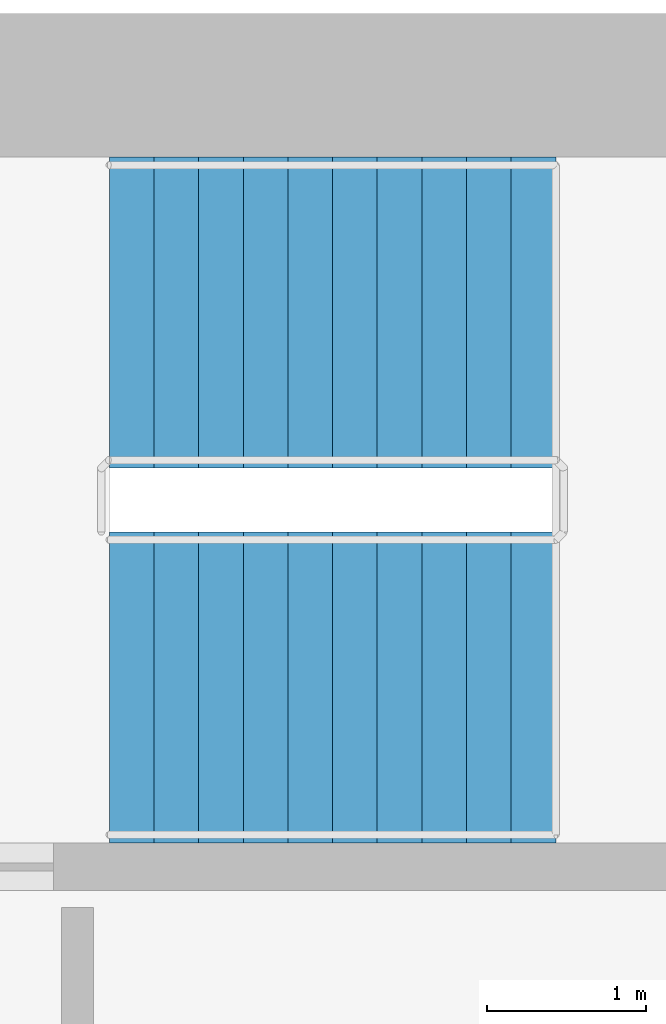
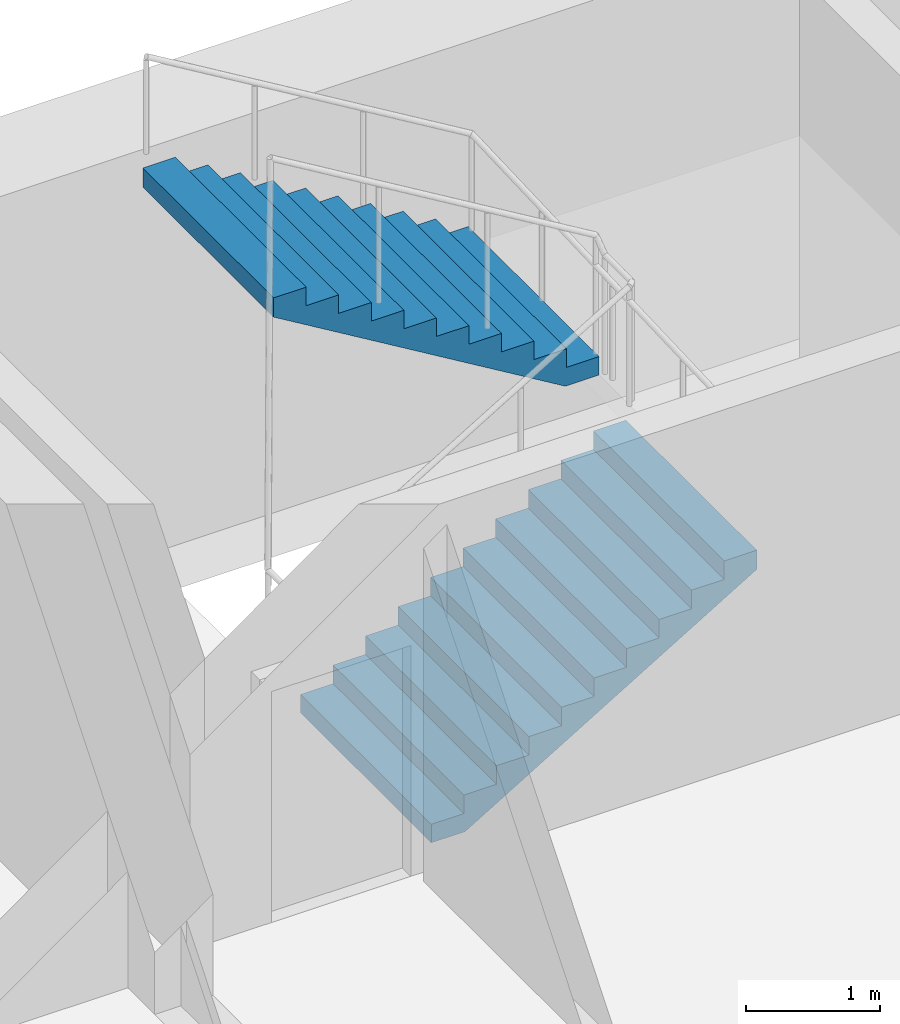
# One storey, part 15 of 19: 2 stair flights, 1 element without a shape of its own.
"""IFC4 building model written with IfcOpenShell, lengths in metres."""

from ifc_helpers import new_model, si_unit, direction, frame, origin, place, context, subcontext, project, spatial, polyline, outline, extrude, material, type_object, element, aggregate, save


model = new_model("IFC4")

# Units and contexts
model_context = context("Model", 3, precision=1e-05, world=origin(), true_north=direction((0.0, 1.0)))
body_context = subcontext(model_context, "Body", "Model", "MODEL_VIEW")
ifc_project = project(units=[si_unit("LENGTHUNIT", "METRE"), si_unit("AREAUNIT", "SQUARE_METRE"), si_unit("VOLUMEUNIT", "CUBIC_METRE"), si_unit("PLANEANGLEUNIT", "RADIAN"), si_unit("MASSUNIT", "GRAM", prefix="KILO")], contexts=[model_context])

# Site, building, storey
site_placement = place(None, origin())
site = spatial("IfcSite", under=ifc_project, at=site_placement, CompositionType="ELEMENT")
building_placement = place(site_placement, origin())
building = spatial("IfcBuilding", under=site, at=building_placement, Name="Hunhe Ridgeline Campus", CompositionType="ELEMENT")
storey_placement = place(building_placement, frame((0.0, 0.0, 219.800048828125)))
storey = spatial("IfcBuildingStorey", under=building, at=storey_placement, Name="L56", CompositionType="ELEMENT", Elevation=219.800048828125)

# Stair, stair flights
ifc_material = material(Name="Concrete C40", Category="concrete")
stair_type = type_object("IfcStairType", Name="Reinforced concrete dog-leg stair 1950 Concrete C40", PredefinedType="HALF_TURN_STAIR", material=ifc_material)
stair_placement = place(storey_placement, origin())
stair = element("IfcStair", 1, at=stair_placement, inside=storey, type_object=stair_type, Name="L56 E1", PredefinedType="HALF_TURN_STAIR")
stair_flight_type = type_object("IfcStairFlightType", Name="Reinforced concrete stair flight 1950 Concrete C40", PredefinedType="STRAIGHT", material=ifc_material)
stair_flight_1_placement = place(storey_placement, frame((38.39990234375, 94.77490234375, 0.0), z_axis=(0.0, 0.0, 1.0), x_axis=(1.0, 0.0, 0.0)))
stair_flight_1 = element("IfcStairFlight", 2, at=stair_flight_1_placement, type_object=stair_flight_type, Name="ST5 flight 1", NumberOfRisers=11, NumberOfTreads=10, PredefinedType="STRAIGHT", RiserHeight=0.168181818, TreadLength=0.28, context=body_context, shape_type="SweptSolid", body=[
    extrude(outline(polyline([(0.0, 0.0), (0.0, 0.168212890625), (0.280029296875, 0.168212890625), (0.280029296875, 0.33642578125), (0.56005859375, 0.33642578125), (0.56005859375, 0.504638671875), (0.840087890625, 0.504638671875), (0.840087890625, 0.672607421875), (1.1201171875, 0.672607421875), (1.1201171875, 0.8408203125), (1.39990234375, 0.8408203125), (1.39990234375, 1.009033203125), (1.679931640625, 1.009033203125), (1.679931640625, 1.17724609375), (1.9599609375, 1.17724609375), (1.9599609375, 1.345458984375), (2.239990234375, 1.345458984375), (2.239990234375, 1.513671875), (2.52001953125, 1.513671875), (2.52001953125, 1.681884765625), (2.800048828125, 1.681884765625), (2.800048828125, 1.85009765625), (2.800048828125, 1.5068359375), (0.291015625, 0.0), (0.0, 0.0)])), frame((0.0, 0.97509765625, 0.0), z_axis=(0.0, -1.0, 0.0), x_axis=(1.0, 0.0, 0.0)), (0.0, 0.0, 1.0), 1.949951171875),
    extrude(outline(polyline([(0.030029296875, 0.030029296875), (0.030029296875, 0.13818359375), (0.31005859375, 0.13818359375), (0.31005859375, 0.306396484375), (0.590087890625, 0.306396484375), (0.590087890625, 0.474609375), (0.8701171875, 0.474609375), (0.8701171875, 0.642578125), (1.14990234375, 0.642578125), (1.14990234375, 0.810791015625), (1.429931640625, 0.810791015625), (1.429931640625, 0.97900390625), (1.7099609375, 0.97900390625), (1.7099609375, 1.147216796875), (1.989990234375, 1.147216796875), (1.989990234375, 1.3154296875), (2.27001953125, 1.3154296875), (2.27001953125, 1.483642578125), (2.550048828125, 1.483642578125), (2.550048828125, 1.65185546875), (2.77001953125, 1.65185546875), (2.77001953125, 1.52392578125), (0.28271484375, 0.030029296875), (0.030029296875, 0.030029296875)])), frame((0.0, -0.070068359375, 0.0), z_axis=(0.0, -1.0, 0.0), x_axis=(1.0, 0.0, 0.0)), (0.0, 0.0, 1.0), 0.019775390625),
    extrude(outline(polyline([(0.030029296875, 0.030029296875), (0.030029296875, 0.13818359375), (0.31005859375, 0.13818359375), (0.31005859375, 0.306396484375), (0.590087890625, 0.306396484375), (0.590087890625, 0.474609375), (0.8701171875, 0.474609375), (0.8701171875, 0.642578125), (1.14990234375, 0.642578125), (1.14990234375, 0.810791015625), (1.429931640625, 0.810791015625), (1.429931640625, 0.97900390625), (1.7099609375, 0.97900390625), (1.7099609375, 1.147216796875), (1.989990234375, 1.147216796875), (1.989990234375, 1.3154296875), (2.27001953125, 1.3154296875), (2.27001953125, 1.483642578125), (2.550048828125, 1.483642578125), (2.550048828125, 1.65185546875), (2.77001953125, 1.65185546875), (2.77001953125, 1.52392578125), (0.28271484375, 0.030029296875), (0.030029296875, 0.030029296875)])), frame((0.0, 0.010009765625, 0.0), z_axis=(0.0, -1.0, 0.0), x_axis=(1.0, 0.0, 0.0)), (0.0, 0.0, 1.0), 0.019775390625),
    extrude(outline(polyline([(0.030029296875, 0.030029296875), (0.030029296875, 0.13818359375), (0.31005859375, 0.13818359375), (0.31005859375, 0.306396484375), (0.590087890625, 0.306396484375), (0.590087890625, 0.474609375), (0.8701171875, 0.474609375), (0.8701171875, 0.642578125), (1.14990234375, 0.642578125), (1.14990234375, 0.810791015625), (1.429931640625, 0.810791015625), (1.429931640625, 0.97900390625), (1.7099609375, 0.97900390625), (1.7099609375, 1.147216796875), (1.989990234375, 1.147216796875), (1.989990234375, 1.3154296875), (2.27001953125, 1.3154296875), (2.27001953125, 1.483642578125), (2.550048828125, 1.483642578125), (2.550048828125, 1.65185546875), (2.77001953125, 1.65185546875), (2.77001953125, 1.52392578125), (0.28271484375, 0.030029296875), (0.030029296875, 0.030029296875)])), frame((0.0, 0.090087890625, 0.0), z_axis=(0.0, -1.0, 0.0), x_axis=(1.0, 0.0, 0.0)), (0.0, 0.0, 1.0), 0.019775390625),
])
stair_flight_2_placement = place(storey_placement, frame((41.199951171875, 97.125, 1.849853515625), z_axis=(0.0, 0.0, 1.0), x_axis=(-1.0, 0.0, 0.0)))
stair_flight_2 = element("IfcStairFlight", 3, at=stair_flight_2_placement, type_object=stair_flight_type, Name="ST5 flight 2", NumberOfRisers=11, NumberOfTreads=10, PredefinedType="STRAIGHT", RiserHeight=0.168181818, TreadLength=0.28, context=body_context, shape_type="SweptSolid", body=[
    extrude(outline(polyline([(0.0, 0.0), (0.0, 0.168212890625), (0.280029296875, 0.168212890625), (0.280029296875, 0.33642578125), (0.56005859375, 0.33642578125), (0.56005859375, 0.504638671875), (0.840087890625, 0.504638671875), (0.840087890625, 0.672607421875), (1.1201171875, 0.672607421875), (1.1201171875, 0.8408203125), (1.39990234375, 0.8408203125), (1.39990234375, 1.009033203125), (1.679931640625, 1.009033203125), (1.679931640625, 1.17724609375), (1.9599609375, 1.17724609375), (1.9599609375, 1.345458984375), (2.239990234375, 1.345458984375), (2.239990234375, 1.513671875), (2.52001953125, 1.513671875), (2.52001953125, 1.681884765625), (2.800048828125, 1.681884765625), (2.800048828125, 1.85009765625), (2.800048828125, 1.5068359375), (0.291015625, 0.0), (0.0, 0.0)])), frame((0.0, 0.97509765625, 0.0), z_axis=(0.0, -1.0, 0.0), x_axis=(1.0, 0.0, 0.0)), (0.0, 0.0, 1.0), 1.949951171875),
    extrude(outline(polyline([(0.030029296875, 0.030029296875), (0.030029296875, 0.13818359375), (0.31005859375, 0.13818359375), (0.31005859375, 0.306396484375), (0.590087890625, 0.306396484375), (0.590087890625, 0.474609375), (0.8701171875, 0.474609375), (0.8701171875, 0.642578125), (1.14990234375, 0.642578125), (1.14990234375, 0.810791015625), (1.429931640625, 0.810791015625), (1.429931640625, 0.97900390625), (1.7099609375, 0.97900390625), (1.7099609375, 1.147216796875), (1.989990234375, 1.147216796875), (1.989990234375, 1.3154296875), (2.27001953125, 1.3154296875), (2.27001953125, 1.483642578125), (2.550048828125, 1.483642578125), (2.550048828125, 1.65185546875), (2.77001953125, 1.65185546875), (2.77001953125, 1.52392578125), (0.28271484375, 0.030029296875), (0.030029296875, 0.030029296875)])), frame((0.0, -0.070068359375, 0.0), z_axis=(0.0, -1.0, 0.0), x_axis=(1.0, 0.0, 0.0)), (0.0, 0.0, 1.0), 0.019775390625),
    extrude(outline(polyline([(0.030029296875, 0.030029296875), (0.030029296875, 0.13818359375), (0.31005859375, 0.13818359375), (0.31005859375, 0.306396484375), (0.590087890625, 0.306396484375), (0.590087890625, 0.474609375), (0.8701171875, 0.474609375), (0.8701171875, 0.642578125), (1.14990234375, 0.642578125), (1.14990234375, 0.810791015625), (1.429931640625, 0.810791015625), (1.429931640625, 0.97900390625), (1.7099609375, 0.97900390625), (1.7099609375, 1.147216796875), (1.989990234375, 1.147216796875), (1.989990234375, 1.3154296875), (2.27001953125, 1.3154296875), (2.27001953125, 1.483642578125), (2.550048828125, 1.483642578125), (2.550048828125, 1.65185546875), (2.77001953125, 1.65185546875), (2.77001953125, 1.52392578125), (0.28271484375, 0.030029296875), (0.030029296875, 0.030029296875)])), frame((0.0, 0.010009765625, 0.0), z_axis=(0.0, -1.0, 0.0), x_axis=(1.0, 0.0, 0.0)), (0.0, 0.0, 1.0), 0.019775390625),
    extrude(outline(polyline([(0.030029296875, 0.030029296875), (0.030029296875, 0.13818359375), (0.31005859375, 0.13818359375), (0.31005859375, 0.306396484375), (0.590087890625, 0.306396484375), (0.590087890625, 0.474609375), (0.8701171875, 0.474609375), (0.8701171875, 0.642578125), (1.14990234375, 0.642578125), (1.14990234375, 0.810791015625), (1.429931640625, 0.810791015625), (1.429931640625, 0.97900390625), (1.7099609375, 0.97900390625), (1.7099609375, 1.147216796875), (1.989990234375, 1.147216796875), (1.989990234375, 1.3154296875), (2.27001953125, 1.3154296875), (2.27001953125, 1.483642578125), (2.550048828125, 1.483642578125), (2.550048828125, 1.65185546875), (2.77001953125, 1.65185546875), (2.77001953125, 1.52392578125), (0.28271484375, 0.030029296875), (0.030029296875, 0.030029296875)])), frame((0.0, 0.090087890625, 0.0), z_axis=(0.0, -1.0, 0.0), x_axis=(1.0, 0.0, 0.0)), (0.0, 0.0, 1.0), 0.019775390625),
])
aggregate(stair, [stair_flight_1, stair_flight_2])

save(model, "model.ifc")
